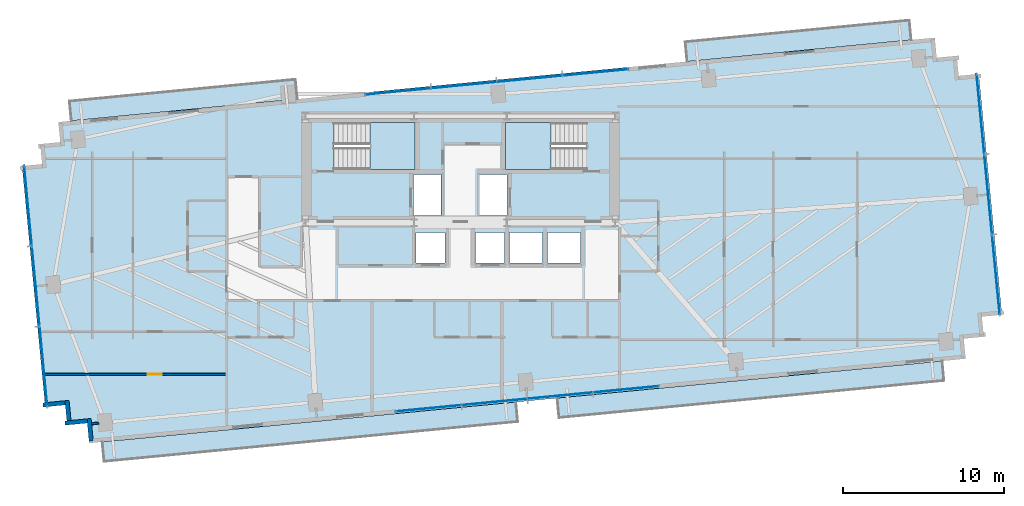
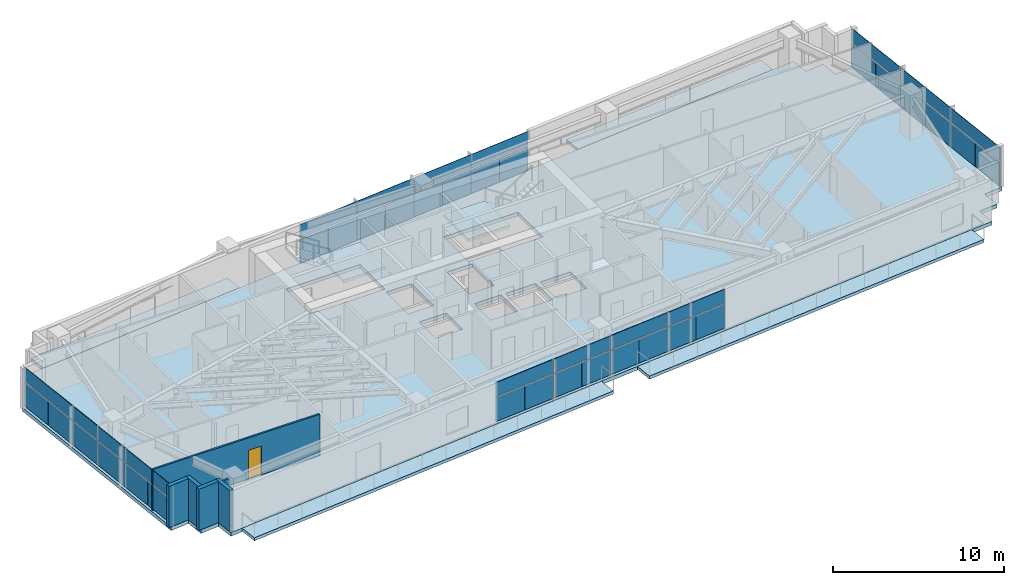
# One storey, part 18 of 25: 42 plates, 7 slabs, 6 walls, 1 door, 1 opening, 6 elements without a shape of their own.
"""IFC4 building model written with IfcOpenShell, lengths in metres."""

from ifc_helpers import new_model, si_unit, direction, frame, frame_2d, origin, origin_2d, place, context, subcontext, project, spatial, polyline, rectangle, outline, extrude, source, transform, mapped, material, layer, layer_set, type_object, type_shapes, element, fill, aggregate, save


model = new_model("IFC4")

# Units and contexts
model_context = context("Model", 3, precision=1e-05, world=origin(), true_north=direction((0.0, 1.0)))
body_context = subcontext(model_context, "Body", "Model", "MODEL_VIEW")
ifc_project = project(units=[si_unit("LENGTHUNIT", "METRE"), si_unit("AREAUNIT", "SQUARE_METRE"), si_unit("VOLUMEUNIT", "CUBIC_METRE"), si_unit("PLANEANGLEUNIT", "RADIAN"), si_unit("MASSUNIT", "GRAM", prefix="KILO")], contexts=[model_context])

# Site, building, storey
site_placement = place(None, origin())
site = spatial("IfcSite", under=ifc_project, at=site_placement, CompositionType="ELEMENT")
building_placement = place(site_placement, origin())
building = spatial("IfcBuilding", under=site, at=building_placement, Name="Astriad Promenade Condominiums", CompositionType="ELEMENT")
storey_placement = place(building_placement, frame((0.0, 0.0, 103.39990234375)))
storey = spatial("IfcBuildingStorey", under=building, at=storey_placement, Name="L29", CompositionType="ELEMENT", Elevation=103.39990234375)

# Slab
ifc_material_1 = material(Name="Concrete C50/60", Category="concrete")
ifc_layer_1 = layer(ifc_material_1, 0.260009765625)
ifc_layer_set_1 = layer_set([ifc_layer_1], Name="Concrete C50/60")
slab_type_1 = type_object("IfcSlabType", Name="CONCRETE TOWER FLOOR SLAB 260", PredefinedType="FLOOR", material=ifc_layer_set_1)
slab_1_placement = place(storey_placement, frame((0.0, 0.0, -0.260009765625)))
element("IfcSlab", 1, at=slab_1_placement, inside=storey, type_object=slab_type_1, Name="Structural Floor Slab (L29)", PredefinedType="FLOOR", context=body_context, shape_type="SweptSolid", body=[
    extrude(outline(polyline([(12.984130859375, 3.7294921875), (67.332763671875, 8.962646484375), (67.212890625, 10.206787109375), (68.457275390625, 10.32666015625), (68.33740234375, 11.57080078125), (69.58154296875, 11.690673828125), (68.14404296875, 26.62158203125), (66.899658203125, 26.501953125), (66.77978515625, 27.74609375), (65.53564453125, 27.626220703125), (65.416015625, 28.87060546875), (11.067138671875, 23.637451171875), (11.18701171875, 22.39306640625), (9.94287109375, 22.273193359375), (10.0625, 21.029052734375), (8.818359375, 20.9091796875), (10.256103515625, 5.978271484375), (11.500244140625, 6.09814453125), (11.6201171875, 4.85400390625), (12.8642578125, 4.9736328125), (12.984130859375, 3.7294921875)]), holes=[polyline([(28.175048828125, 20.699951171875), (33.175048828125, 20.699951171875), (33.175048828125, 23.60009765625), (28.175048828125, 23.60009765625), (28.175048828125, 20.699951171875)]), polyline([(38.824951171875, 20.699951171875), (43.824951171875, 20.699951171875), (43.824951171875, 23.60009765625), (38.824951171875, 23.60009765625), (38.824951171875, 20.699951171875)]), polyline([(33.10009765625, 17.85009765625), (34.800048828125, 17.85009765625), (34.800048828125, 20.39990234375), (33.10009765625, 20.39990234375), (33.10009765625, 17.85009765625)]), polyline([(37.199951171875, 17.85009765625), (38.89990234375, 17.85009765625), (38.89990234375, 20.39990234375), (37.199951171875, 20.39990234375), (37.199951171875, 17.85009765625)]), polyline([(33.25, 14.89990234375), (35.050048828125, 14.89990234375), (35.050048828125, 16.800048828125), (33.25, 16.800048828125), (33.25, 14.89990234375)]), polyline([(36.949951171875, 14.89990234375), (38.75, 14.89990234375), (38.75, 16.800048828125), (36.949951171875, 16.800048828125), (36.949951171875, 14.89990234375)]), polyline([(39.050048828125, 14.89990234375), (41.10009765625, 14.89990234375), (41.10009765625, 16.800048828125), (39.050048828125, 16.800048828125), (39.050048828125, 14.89990234375)]), polyline([(41.39990234375, 14.89990234375), (43.449951171875, 14.89990234375), (43.449951171875, 16.800048828125), (41.39990234375, 16.800048828125), (41.39990234375, 14.89990234375)])]), origin(), (0.0, 0.0, 1.0), 0.260009765625),
])

# Stair, slab
stair_type = type_object("IfcStairType", Name="STR-CORE-1350", PredefinedType="HALF_TURN_STAIR", material=ifc_material_1)
stair_1_placement = place(storey_placement, origin())
stair_1 = element("IfcStair", 2, at=stair_1_placement, inside=storey, type_object=stair_type, Name="L29 Enclosed Core Exit Stair ST-1", PredefinedType="HALF_TURN_STAIR")
ifc_layer_2 = layer(ifc_material_1, 0.219970703125)
ifc_layer_set_2 = layer_set([ifc_layer_2], Name="Concrete C50/60")
slab_type_2 = type_object("IfcSlabType", Name="SLB-LANDING-220", PredefinedType="LANDING", material=ifc_layer_set_2)
slab_2_placement = place(storey_placement, frame((0.0, 0.0, 1.400146484375)))
slab_2 = element("IfcSlab", 3, at=slab_2_placement, type_object=slab_type_2, Name="ST-1 landing 1", PredefinedType="LANDING", context=body_context, shape_type="SweptSolid", body=[
    extrude(outline(polyline([(30.389892578125, 20.699951171875), (33.199951171875, 20.699951171875), (33.199951171875, 23.60009765625), (30.389892578125, 23.60009765625), (30.389892578125, 20.699951171875)])), origin(), (0.0, 0.0, 1.0), 0.199951171875),
])
aggregate(stair_1, [slab_2])

stair_2_placement = place(storey_placement, origin())
stair_2 = element("IfcStair", 4, at=stair_2_placement, inside=storey, type_object=stair_type, Name="L29 Enclosed Core Exit Stair ST-2", PredefinedType="HALF_TURN_STAIR")
slab_3_placement = place(storey_placement, frame((0.0, 0.0, 1.400146484375)))
slab_3 = element("IfcSlab", 5, at=slab_3_placement, type_object=slab_type_2, Name="ST-2 landing 1", PredefinedType="LANDING", context=body_context, shape_type="SweptSolid", body=[
    extrude(outline(polyline([(41.610107421875, 23.60009765625), (38.800048828125, 23.60009765625), (38.800048828125, 20.699951171875), (41.610107421875, 20.699951171875), (41.610107421875, 23.60009765625)])), origin(), (0.0, 0.0, 1.0), 0.199951171875),
])
aggregate(stair_2, [slab_3])

# Slabs
ifc_material_2 = material(Name="Precast concrete C50/60", Category="concrete")
ifc_layer_3 = layer(ifc_material_2, 0.219970703125)
ifc_layer_set_3 = layer_set([ifc_layer_3], Name="Precast concrete C50/60")
slab_type_3 = type_object("IfcSlabType", Name="WHITE PRECAST CONCRETE WAVE BALCONY SLAB 220", PredefinedType="FLOOR", material=ifc_layer_set_3)
slab_4_placement = place(storey_placement, frame((0.0, 0.0, -0.219970703125)))
element("IfcSlab", 6, at=slab_4_placement, inside=storey, type_object=slab_type_3, Name="White Precast Wave Balcony Slab BAL-L29-SW", PredefinedType="FLOOR", context=body_context, shape_type="SweptSolid", body=[
    extrude(outline(polyline([(39.556640625, 5.0625), (13.913330078125, 2.59326171875), (13.796630859375, 3.8056640625), (39.43994140625, 6.27490234375), (39.556640625, 5.0625)])), origin(), (0.0, 0.0, 1.0), 0.219970703125),
])
slab_5_placement = place(storey_placement, frame((0.0, 0.0, -0.219970703125)))
element("IfcSlab", 7, at=slab_5_placement, inside=storey, type_object=slab_type_3, Name="White Precast Wave Balcony Slab BAL-L29-SE", PredefinedType="FLOOR", context=body_context, shape_type="SweptSolid", body=[
    extrude(outline(polyline([(65.992431640625, 7.60791015625), (42.122802734375, 5.3095703125), (42.006103515625, 6.52197265625), (65.875732421875, 8.8203125), (65.992431640625, 7.60791015625)])), origin(), (0.0, 0.0, 1.0), 0.219970703125),
])
slab_6_placement = place(storey_placement, frame((0.0, 0.0, -0.219970703125)))
element("IfcSlab", 8, at=slab_6_placement, inside=storey, type_object=slab_type_3, Name="White Precast Wave Balcony Slab BAL-L29-NW", PredefinedType="FLOOR", context=body_context, shape_type="SweptSolid", body=[
    extrude(outline(polyline([(11.762451171875, 24.929931640625), (25.771728515625, 26.27880859375), (25.888427734375, 25.06640625), (11.87939453125, 23.717529296875), (11.762451171875, 24.929931640625)])), origin(), (0.0, 0.0, 1.0), 0.219970703125),
])
slab_7_placement = place(storey_placement, frame((0.0, 0.0, -0.219970703125)))
element("IfcSlab", 9, at=slab_7_placement, inside=storey, type_object=slab_type_3, Name="White Precast Wave Balcony Slab BAL-L29-NE", PredefinedType="FLOOR", context=body_context, shape_type="SweptSolid", body=[
    extrude(outline(polyline([(49.949951171875, 28.60693359375), (63.841796875, 29.944580078125), (63.95849609375, 28.732421875), (50.066650390625, 27.39453125), (49.949951171875, 28.60693359375)])), origin(), (0.0, 0.0, 1.0), 0.219970703125),
])

# Curtain wall, plates
ifc_material_3 = material(Name="Anodised aluminium Black Dark Glass Unitised", Category="aluminium")
curtain_wall_type = type_object("IfcCurtainWallType", Name="CW-B2-DARK", PredefinedType="USERDEFINED", material=ifc_material_3)
curtain_wall_1_placement = place(storey_placement, origin())
curtain_wall_1 = element("IfcCurtainWall", 10, at=curtain_wall_1_placement, inside=storey, type_object=curtain_wall_type, Name="CW-L29-W", ObjectType="UNITISED_CURTAIN_WALL", PredefinedType="USERDEFINED")
ifc_material_4 = material(Name="Dark Tinted Low-E Laminated Glass", Category="glass")
ifc_layer_4 = layer(ifc_material_4, 0.035888671875)
ifc_layer_set_4 = layer_set([ifc_layer_4], Name="Dark Tinted Low-E Laminated Glass")
plate_type = type_object("IfcPlateType", Name="PNL-DARK-GLASS-36", PredefinedType="CURTAIN_PANEL", material=ifc_layer_set_4)
shared_shape_1 = source(origin(), body_context, "Body", "SweptSolid", [
    extrude(rectangle(XDim=2.488037109375, YDim=0.035888671875, at=origin_2d()), origin(), (0.0, 0.0, 1.0), 1.702880859375),
])
plate_1_placement = place(storey_placement, frame((10.265625, 7.235107421875, 0.080078125), z_axis=(0.0, 0.0, 1.0), x_axis=(-0.09584575252, 0.995396198367, 0.0)))
plate_1 = element("IfcPlate", 11, at=plate_1_placement, type_object=plate_type, Name="CW-L29-W-PNL-00-VL", PredefinedType="CURTAIN_PANEL", context=body_context, shape_type="MappedRepresentation", body=[
    mapped(shared_shape_1, transform((0.0, 0.0, 0.0), scale=1.0)),
])
plate_2_placement = place(storey_placement, frame((10.02587890625, 9.723388671875, 0.080078125), z_axis=(0.0, 0.0, 1.0), x_axis=(-0.09584575252, 0.995396198367, 0.0)))
plate_2 = element("IfcPlate", 12, at=plate_2_placement, type_object=plate_type, Name="CW-L29-W-PNL-00-VR", PredefinedType="CURTAIN_PANEL", context=body_context, shape_type="MappedRepresentation", body=[
    mapped(shared_shape_1, transform((0.0, 0.0, 0.0), scale=1.0)),
])
plate_3_placement = place(storey_placement, frame((9.786376953125, 12.212158203125, 0.080078125), z_axis=(0.0, 0.0, 1.0), x_axis=(-0.09584575252, 0.995396198367, 0.0)))
plate_3 = element("IfcPlate", 13, at=plate_3_placement, type_object=plate_type, Name="CW-L29-W-PNL-01-VL", PredefinedType="CURTAIN_PANEL", context=body_context, shape_type="MappedRepresentation", body=[
    mapped(shared_shape_1, transform((0.0, 0.0, 0.0), scale=1.0)),
])
plate_4_placement = place(storey_placement, frame((9.546875, 14.700439453125, 0.080078125), z_axis=(0.0, 0.0, 1.0), x_axis=(-0.09584575252, 0.995396198367, 0.0)))
plate_4 = element("IfcPlate", 14, at=plate_4_placement, type_object=plate_type, Name="CW-L29-W-PNL-01-VR", PredefinedType="CURTAIN_PANEL", context=body_context, shape_type="MappedRepresentation", body=[
    mapped(shared_shape_1, transform((0.0, 0.0, 0.0), scale=1.0)),
])
plate_5_placement = place(storey_placement, frame((9.30712890625, 17.189208984375, 0.080078125), z_axis=(0.0, 0.0, 1.0), x_axis=(-0.09584575252, 0.995396198367, 0.0)))
plate_5 = element("IfcPlate", 15, at=plate_5_placement, type_object=plate_type, Name="CW-L29-W-PNL-02-VL", PredefinedType="CURTAIN_PANEL", context=body_context, shape_type="MappedRepresentation", body=[
    mapped(shared_shape_1, transform((0.0, 0.0, 0.0), scale=1.0)),
])
plate_6_placement = place(storey_placement, frame((9.067626953125, 19.677490234375, 0.080078125), z_axis=(0.0, 0.0, 1.0), x_axis=(-0.09584575252, 0.995396198367, 0.0)))
plate_6 = element("IfcPlate", 16, at=plate_6_placement, type_object=plate_type, Name="CW-L29-W-PNL-02-VR", PredefinedType="CURTAIN_PANEL", context=body_context, shape_type="MappedRepresentation", body=[
    mapped(shared_shape_1, transform((0.0, 0.0, 0.0), scale=1.0)),
])

curtain_wall_2_placement = place(storey_placement, origin())
curtain_wall_2 = element("IfcCurtainWall", 17, at=curtain_wall_2_placement, inside=storey, type_object=curtain_wall_type, Name="CW-L29-E", ObjectType="UNITISED_CURTAIN_WALL", PredefinedType="USERDEFINED")
plate_7_placement = place(storey_placement, frame((68.134521484375, 25.364990234375, 0.080078125), z_axis=(0.0, 0.0, 1.0), x_axis=(0.09584575252, -0.995396198367, 0.0)))
plate_7 = element("IfcPlate", 18, at=plate_7_placement, type_object=plate_type, Name="CW-L29-E-PNL-00-VL", PredefinedType="CURTAIN_PANEL", context=body_context, shape_type="MappedRepresentation", body=[
    mapped(shared_shape_1, transform((0.0, 0.0, 0.0), scale=1.0)),
])
plate_8_placement = place(storey_placement, frame((68.3740234375, 22.87646484375, 0.080078125), z_axis=(0.0, 0.0, 1.0), x_axis=(0.09584575252, -0.995396198367, 0.0)))
plate_8 = element("IfcPlate", 19, at=plate_8_placement, type_object=plate_type, Name="CW-L29-E-PNL-00-VR", PredefinedType="CURTAIN_PANEL", context=body_context, shape_type="MappedRepresentation", body=[
    mapped(shared_shape_1, transform((0.0, 0.0, 0.0), scale=1.0)),
])
plate_9_placement = place(storey_placement, frame((68.613525390625, 20.387939453125, 0.080078125), z_axis=(0.0, 0.0, 1.0), x_axis=(0.09584575252, -0.995396198367, 0.0)))
plate_9 = element("IfcPlate", 20, at=plate_9_placement, type_object=plate_type, Name="CW-L29-E-PNL-01-VL", PredefinedType="CURTAIN_PANEL", context=body_context, shape_type="MappedRepresentation", body=[
    mapped(shared_shape_1, transform((0.0, 0.0, 0.0), scale=1.0)),
])
plate_10_placement = place(storey_placement, frame((68.853271484375, 17.8994140625, 0.080078125), z_axis=(0.0, 0.0, 1.0), x_axis=(0.09584575252, -0.995396198367, 0.0)))
plate_10 = element("IfcPlate", 21, at=plate_10_placement, type_object=plate_type, Name="CW-L29-E-PNL-01-VR", PredefinedType="CURTAIN_PANEL", context=body_context, shape_type="MappedRepresentation", body=[
    mapped(shared_shape_1, transform((0.0, 0.0, 0.0), scale=1.0)),
])
plate_11_placement = place(storey_placement, frame((69.0927734375, 15.410888671875, 0.080078125), z_axis=(0.0, 0.0, 1.0), x_axis=(0.09584575252, -0.995396198367, 0.0)))
plate_11 = element("IfcPlate", 22, at=plate_11_placement, type_object=plate_type, Name="CW-L29-E-PNL-02-VL", PredefinedType="CURTAIN_PANEL", context=body_context, shape_type="MappedRepresentation", body=[
    mapped(shared_shape_1, transform((0.0, 0.0, 0.0), scale=1.0)),
])
plate_12_placement = place(storey_placement, frame((69.33251953125, 12.922607421875, 0.080078125), z_axis=(0.0, 0.0, 1.0), x_axis=(0.09584575252, -0.995396198367, 0.0)))
plate_12 = element("IfcPlate", 23, at=plate_12_placement, type_object=plate_type, Name="CW-L29-E-PNL-02-VR", PredefinedType="CURTAIN_PANEL", context=body_context, shape_type="MappedRepresentation", body=[
    mapped(shared_shape_1, transform((0.0, 0.0, 0.0), scale=1.0)),
])

# Plate
shared_shape_2 = source(origin(), body_context, "Body", "SweptSolid", [
    extrude(rectangle(XDim=4.988037109375, YDim=0.035888671875, at=origin_2d()), origin(), (0.0, 0.0, 1.0), 0.997314453125),
])
plate_13_placement = place(storey_placement, frame((10.145751953125, 8.479248046875, 1.86279296875), z_axis=(0.0, 0.0, 1.0), x_axis=(-0.09584575252, 0.995396198367, 0.0)))
plate_13 = element("IfcPlate", 24, at=plate_13_placement, type_object=plate_type, Name="CW-L29-W-PNL-00-S", PredefinedType="CURTAIN_PANEL", context=body_context, shape_type="MappedRepresentation", body=[
    mapped(shared_shape_2, transform((0.0, 0.0, 0.0), scale=1.0)),
])

plate_14_placement = place(storey_placement, frame((9.66650390625, 13.456298828125, 1.86279296875), z_axis=(0.0, 0.0, 1.0), x_axis=(-0.09584575252, 0.995396198367, 0.0)))
plate_14 = element("IfcPlate", 25, at=plate_14_placement, type_object=plate_type, Name="CW-L29-W-PNL-01-S", PredefinedType="CURTAIN_PANEL", context=body_context, shape_type="MappedRepresentation", body=[
    mapped(shared_shape_2, transform((0.0, 0.0, 0.0), scale=1.0)),
])

plate_15_placement = place(storey_placement, frame((9.1875, 18.433349609375, 1.86279296875), z_axis=(0.0, 0.0, 1.0), x_axis=(-0.09584575252, 0.995396198367, 0.0)))
plate_15 = element("IfcPlate", 26, at=plate_15_placement, type_object=plate_type, Name="CW-L29-W-PNL-02-S", PredefinedType="CURTAIN_PANEL", context=body_context, shape_type="MappedRepresentation", body=[
    mapped(shared_shape_2, transform((0.0, 0.0, 0.0), scale=1.0)),
])

aggregate(curtain_wall_1, [plate_1, plate_2, plate_13, plate_3, plate_4, plate_14, plate_5, plate_6, plate_15])

plate_16_placement = place(storey_placement, frame((68.254150390625, 24.12060546875, 1.86279296875), z_axis=(0.0, 0.0, 1.0), x_axis=(0.09584575252, -0.995396198367, 0.0)))
plate_16 = element("IfcPlate", 27, at=plate_16_placement, type_object=plate_type, Name="CW-L29-E-PNL-00-S", PredefinedType="CURTAIN_PANEL", context=body_context, shape_type="MappedRepresentation", body=[
    mapped(shared_shape_2, transform((0.0, 0.0, 0.0), scale=1.0)),
])

plate_17_placement = place(storey_placement, frame((68.7333984375, 19.143798828125, 1.86279296875), z_axis=(0.0, 0.0, 1.0), x_axis=(0.09584575252, -0.995396198367, 0.0)))
plate_17 = element("IfcPlate", 28, at=plate_17_placement, type_object=plate_type, Name="CW-L29-E-PNL-01-S", PredefinedType="CURTAIN_PANEL", context=body_context, shape_type="MappedRepresentation", body=[
    mapped(shared_shape_2, transform((0.0, 0.0, 0.0), scale=1.0)),
])

plate_18_placement = place(storey_placement, frame((69.212646484375, 14.166748046875, 1.86279296875), z_axis=(0.0, 0.0, 1.0), x_axis=(0.09584575252, -0.995396198367, 0.0)))
plate_18 = element("IfcPlate", 29, at=plate_18_placement, type_object=plate_type, Name="CW-L29-E-PNL-02-S", PredefinedType="CURTAIN_PANEL", context=body_context, shape_type="MappedRepresentation", body=[
    mapped(shared_shape_2, transform((0.0, 0.0, 0.0), scale=1.0)),
])

aggregate(curtain_wall_2, [plate_7, plate_8, plate_16, plate_9, plate_10, plate_17, plate_11, plate_12, plate_18])

# Curtain wall, plates
curtain_wall_3_placement = place(storey_placement, origin())
curtain_wall_3 = element("IfcCurtainWall", 30, at=curtain_wall_3_placement, inside=storey, type_object=curtain_wall_type, Name="CW-L29-N", ObjectType="UNITISED_CURTAIN_WALL", PredefinedType="USERDEFINED")
shared_shape_3 = source(origin(), body_context, "Body", "SweptSolid", [
    extrude(rectangle(XDim=2.035400390625, YDim=0.035888671875, at=origin_2d()), origin(), (0.0, 0.0, 1.0), 1.702880859375),
])
plate_19_placement = place(storey_placement, frame((31.12060546875, 25.437744140625, 0.080078125), z_axis=(0.0, 0.0, 1.0), x_axis=(0.995396198367, 0.09584575252, 0.0)))
plate_19 = element("IfcPlate", 31, at=plate_19_placement, type_object=plate_type, Name="CW-L29-N-PNL-00-VL", PredefinedType="CURTAIN_PANEL", context=body_context, shape_type="MappedRepresentation", body=[
    mapped(shared_shape_3, transform((0.0, 0.0, 0.0), scale=1.0)),
])
plate_20_placement = place(storey_placement, frame((33.15869140625, 25.634033203125, 0.080078125), z_axis=(0.0, 0.0, 1.0), x_axis=(0.995396198367, 0.09584575252, 0.0)))
plate_20 = element("IfcPlate", 32, at=plate_20_placement, type_object=plate_type, Name="CW-L29-N-PNL-00-VR", PredefinedType="CURTAIN_PANEL", context=body_context, shape_type="MappedRepresentation", body=[
    mapped(shared_shape_3, transform((0.0, 0.0, 0.0), scale=1.0)),
])
plate_21_placement = place(storey_placement, frame((35.19677734375, 25.830078125, 0.080078125), z_axis=(0.0, 0.0, 1.0), x_axis=(0.995396198367, 0.09584575252, 0.0)))
plate_21 = element("IfcPlate", 33, at=plate_21_placement, type_object=plate_type, Name="CW-L29-N-PNL-01-VL", PredefinedType="CURTAIN_PANEL", context=body_context, shape_type="MappedRepresentation", body=[
    mapped(shared_shape_3, transform((0.0, 0.0, 0.0), scale=1.0)),
])
plate_22_placement = place(storey_placement, frame((37.23486328125, 26.026611328125, 0.080078125), z_axis=(0.0, 0.0, 1.0), x_axis=(0.995396198367, 0.09584575252, 0.0)))
plate_22 = element("IfcPlate", 34, at=plate_22_placement, type_object=plate_type, Name="CW-L29-N-PNL-01-VR", PredefinedType="CURTAIN_PANEL", context=body_context, shape_type="MappedRepresentation", body=[
    mapped(shared_shape_3, transform((0.0, 0.0, 0.0), scale=1.0)),
])
plate_23_placement = place(storey_placement, frame((39.27294921875, 26.22265625, 0.080078125), z_axis=(0.0, 0.0, 1.0), x_axis=(0.995396198367, 0.09584575252, 0.0)))
plate_23 = element("IfcPlate", 35, at=plate_23_placement, type_object=plate_type, Name="CW-L29-N-PNL-02-VL", PredefinedType="CURTAIN_PANEL", context=body_context, shape_type="MappedRepresentation", body=[
    mapped(shared_shape_3, transform((0.0, 0.0, 0.0), scale=1.0)),
])
plate_24_placement = place(storey_placement, frame((41.31103515625, 26.4189453125, 0.080078125), z_axis=(0.0, 0.0, 1.0), x_axis=(0.995396198367, 0.09584575252, 0.0)))
plate_24 = element("IfcPlate", 36, at=plate_24_placement, type_object=plate_type, Name="CW-L29-N-PNL-02-VR", PredefinedType="CURTAIN_PANEL", context=body_context, shape_type="MappedRepresentation", body=[
    mapped(shared_shape_3, transform((0.0, 0.0, 0.0), scale=1.0)),
])
plate_25_placement = place(storey_placement, frame((43.34912109375, 26.615234375, 0.080078125), z_axis=(0.0, 0.0, 1.0), x_axis=(0.995396198367, 0.09584575252, 0.0)))
plate_25 = element("IfcPlate", 37, at=plate_25_placement, type_object=plate_type, Name="CW-L29-N-PNL-03-VL", PredefinedType="CURTAIN_PANEL", context=body_context, shape_type="MappedRepresentation", body=[
    mapped(shared_shape_3, transform((0.0, 0.0, 0.0), scale=1.0)),
])
plate_26_placement = place(storey_placement, frame((45.38720703125, 26.8115234375, 0.080078125), z_axis=(0.0, 0.0, 1.0), x_axis=(0.995396198367, 0.09584575252, 0.0)))
plate_26 = element("IfcPlate", 38, at=plate_26_placement, type_object=plate_type, Name="CW-L29-N-PNL-03-VR", PredefinedType="CURTAIN_PANEL", context=body_context, shape_type="MappedRepresentation", body=[
    mapped(shared_shape_3, transform((0.0, 0.0, 0.0), scale=1.0)),
])

curtain_wall_4_placement = place(storey_placement, origin())
curtain_wall_4 = element("IfcCurtainWall", 39, at=curtain_wall_4_placement, inside=storey, type_object=curtain_wall_type, Name="CW-L29-S", ObjectType="UNITISED_CURTAIN_WALL", PredefinedType="USERDEFINED")
plate_27_placement = place(storey_placement, frame((47.279296875, 7.162353515625, 0.080078125), z_axis=(0.0, 0.0, 1.0), x_axis=(-0.995396198367, -0.09584575252, 0.0)))
plate_27 = element("IfcPlate", 40, at=plate_27_placement, type_object=plate_type, Name="CW-L29-S-PNL-00-VL", PredefinedType="CURTAIN_PANEL", context=body_context, shape_type="MappedRepresentation", body=[
    mapped(shared_shape_3, transform((0.0, 0.0, 0.0), scale=1.0)),
])
plate_28_placement = place(storey_placement, frame((45.2412109375, 6.966064453125, 0.080078125), z_axis=(0.0, 0.0, 1.0), x_axis=(-0.995396198367, -0.09584575252, 0.0)))
plate_28 = element("IfcPlate", 41, at=plate_28_placement, type_object=plate_type, Name="CW-L29-S-PNL-00-VR", PredefinedType="CURTAIN_PANEL", context=body_context, shape_type="MappedRepresentation", body=[
    mapped(shared_shape_3, transform((0.0, 0.0, 0.0), scale=1.0)),
])
plate_29_placement = place(storey_placement, frame((43.203125, 6.769775390625, 0.080078125), z_axis=(0.0, 0.0, 1.0), x_axis=(-0.995396198367, -0.09584575252, 0.0)))
plate_29 = element("IfcPlate", 42, at=plate_29_placement, type_object=plate_type, Name="CW-L29-S-PNL-01-VL", PredefinedType="CURTAIN_PANEL", context=body_context, shape_type="MappedRepresentation", body=[
    mapped(shared_shape_3, transform((0.0, 0.0, 0.0), scale=1.0)),
])
plate_30_placement = place(storey_placement, frame((41.1650390625, 6.573486328125, 0.080078125), z_axis=(0.0, 0.0, 1.0), x_axis=(-0.995396198367, -0.09584575252, 0.0)))
plate_30 = element("IfcPlate", 43, at=plate_30_placement, type_object=plate_type, Name="CW-L29-S-PNL-01-VR", PredefinedType="CURTAIN_PANEL", context=body_context, shape_type="MappedRepresentation", body=[
    mapped(shared_shape_3, transform((0.0, 0.0, 0.0), scale=1.0)),
])
plate_31_placement = place(storey_placement, frame((39.126953125, 6.377197265625, 0.080078125), z_axis=(0.0, 0.0, 1.0), x_axis=(-0.995396198367, -0.09584575252, 0.0)))
plate_31 = element("IfcPlate", 44, at=plate_31_placement, type_object=plate_type, Name="CW-L29-S-PNL-02-VL", PredefinedType="CURTAIN_PANEL", context=body_context, shape_type="MappedRepresentation", body=[
    mapped(shared_shape_3, transform((0.0, 0.0, 0.0), scale=1.0)),
])
plate_32_placement = place(storey_placement, frame((37.0888671875, 6.180908203125, 0.080078125), z_axis=(0.0, 0.0, 1.0), x_axis=(-0.995396198367, -0.09584575252, 0.0)))
plate_32 = element("IfcPlate", 45, at=plate_32_placement, type_object=plate_type, Name="CW-L29-S-PNL-02-VR", PredefinedType="CURTAIN_PANEL", context=body_context, shape_type="MappedRepresentation", body=[
    mapped(shared_shape_3, transform((0.0, 0.0, 0.0), scale=1.0)),
])
plate_33_placement = place(storey_placement, frame((35.05078125, 5.98486328125, 0.080078125), z_axis=(0.0, 0.0, 1.0), x_axis=(-0.995396198367, -0.09584575252, 0.0)))
plate_33 = element("IfcPlate", 46, at=plate_33_placement, type_object=plate_type, Name="CW-L29-S-PNL-03-VL", PredefinedType="CURTAIN_PANEL", context=body_context, shape_type="MappedRepresentation", body=[
    mapped(shared_shape_3, transform((0.0, 0.0, 0.0), scale=1.0)),
])
plate_34_placement = place(storey_placement, frame((33.0126953125, 5.78857421875, 0.080078125), z_axis=(0.0, 0.0, 1.0), x_axis=(-0.995396198367, -0.09584575252, 0.0)))
plate_34 = element("IfcPlate", 47, at=plate_34_placement, type_object=plate_type, Name="CW-L29-S-PNL-03-VR", PredefinedType="CURTAIN_PANEL", context=body_context, shape_type="MappedRepresentation", body=[
    mapped(shared_shape_3, transform((0.0, 0.0, 0.0), scale=1.0)),
])

# Plate
shared_shape_4 = source(origin(), body_context, "Body", "SweptSolid", [
    extrude(rectangle(XDim=4.0830078125, YDim=0.035888671875, at=origin_2d()), origin(), (0.0, 0.0, 1.0), 0.997314453125),
])
type_shapes(plate_type, [shared_shape_1, shared_shape_2, shared_shape_3, shared_shape_4])
plate_35_placement = place(storey_placement, frame((32.1396484375, 25.535888671875, 1.86279296875), z_axis=(0.0, 0.0, 1.0), x_axis=(0.995396198367, 0.09584575252, 0.0)))
plate_35 = element("IfcPlate", 48, at=plate_35_placement, type_object=plate_type, Name="CW-L29-N-PNL-00-S", PredefinedType="CURTAIN_PANEL", context=body_context, shape_type="MappedRepresentation", body=[
    mapped(shared_shape_4, transform((0.0, 0.0, 0.0), scale=1.0)),
])

plate_36_placement = place(storey_placement, frame((36.2158203125, 25.928466796875, 1.86279296875), z_axis=(0.0, 0.0, 1.0), x_axis=(0.995396198367, 0.09584575252, 0.0)))
plate_36 = element("IfcPlate", 49, at=plate_36_placement, type_object=plate_type, Name="CW-L29-N-PNL-01-S", PredefinedType="CURTAIN_PANEL", context=body_context, shape_type="MappedRepresentation", body=[
    mapped(shared_shape_4, transform((0.0, 0.0, 0.0), scale=1.0)),
])

plate_37_placement = place(storey_placement, frame((40.2919921875, 26.32080078125, 1.86279296875), z_axis=(0.0, 0.0, 1.0), x_axis=(0.995396198367, 0.09584575252, 0.0)))
plate_37 = element("IfcPlate", 50, at=plate_37_placement, type_object=plate_type, Name="CW-L29-N-PNL-02-S", PredefinedType="CURTAIN_PANEL", context=body_context, shape_type="MappedRepresentation", body=[
    mapped(shared_shape_4, transform((0.0, 0.0, 0.0), scale=1.0)),
])

plate_38_placement = place(storey_placement, frame((44.368408203125, 26.71337890625, 1.86279296875), z_axis=(0.0, 0.0, 1.0), x_axis=(0.995396198367, 0.09584575252, 0.0)))
plate_38 = element("IfcPlate", 51, at=plate_38_placement, type_object=plate_type, Name="CW-L29-N-PNL-03-S", PredefinedType="CURTAIN_PANEL", context=body_context, shape_type="MappedRepresentation", body=[
    mapped(shared_shape_4, transform((0.0, 0.0, 0.0), scale=1.0)),
])

aggregate(curtain_wall_3, [plate_19, plate_20, plate_35, plate_21, plate_22, plate_36, plate_23, plate_24, plate_37, plate_25, plate_26, plate_38])

plate_39_placement = place(storey_placement, frame((46.26025390625, 7.064208984375, 1.86279296875), z_axis=(0.0, 0.0, 1.0), x_axis=(-0.995396198367, -0.09584575252, 0.0)))
plate_39 = element("IfcPlate", 52, at=plate_39_placement, type_object=plate_type, Name="CW-L29-S-PNL-00-S", PredefinedType="CURTAIN_PANEL", context=body_context, shape_type="MappedRepresentation", body=[
    mapped(shared_shape_4, transform((0.0, 0.0, 0.0), scale=1.0)),
])

plate_40_placement = place(storey_placement, frame((42.18408203125, 6.671630859375, 1.86279296875), z_axis=(0.0, 0.0, 1.0), x_axis=(-0.995396198367, -0.09584575252, 0.0)))
plate_40 = element("IfcPlate", 53, at=plate_40_placement, type_object=plate_type, Name="CW-L29-S-PNL-01-S", PredefinedType="CURTAIN_PANEL", context=body_context, shape_type="MappedRepresentation", body=[
    mapped(shared_shape_4, transform((0.0, 0.0, 0.0), scale=1.0)),
])

plate_41_placement = place(storey_placement, frame((38.10791015625, 6.279052734375, 1.86279296875), z_axis=(0.0, 0.0, 1.0), x_axis=(-0.995396198367, -0.09584575252, 0.0)))
plate_41 = element("IfcPlate", 54, at=plate_41_placement, type_object=plate_type, Name="CW-L29-S-PNL-02-S", PredefinedType="CURTAIN_PANEL", context=body_context, shape_type="MappedRepresentation", body=[
    mapped(shared_shape_4, transform((0.0, 0.0, 0.0), scale=1.0)),
])

plate_42_placement = place(storey_placement, frame((34.03173828125, 5.88671875, 1.86279296875), z_axis=(0.0, 0.0, 1.0), x_axis=(-0.995396198367, -0.09584575252, 0.0)))
plate_42 = element("IfcPlate", 55, at=plate_42_placement, type_object=plate_type, Name="CW-L29-S-PNL-03-S", PredefinedType="CURTAIN_PANEL", context=body_context, shape_type="MappedRepresentation", body=[
    mapped(shared_shape_4, transform((0.0, 0.0, 0.0), scale=1.0)),
])

aggregate(curtain_wall_4, [plate_27, plate_28, plate_39, plate_29, plate_30, plate_40, plate_31, plate_32, plate_41, plate_33, plate_34, plate_42])

# Walls
ifc_layer_5 = layer(ifc_material_2, 0.260009765625)
ifc_layer_set_5 = layer_set([ifc_layer_5], Name="Precast concrete C50/60")
wall_type_1 = type_object("IfcWallType", Name="WALL-EXT-TWR-260", PredefinedType="STANDARD", material=ifc_layer_set_5)
for number, where, z_axis, x_axis, name in (
    (56, (12.86669921875, 5.1044921875, 0.0), (0.0, 0.0, 1.0), (-0.995389446633, -0.095915846097, 0.0), "W-SER-L29-00"),
    (57, (11.738525390625, 4.98095703125, 0.0), (0.0, 0.0, 1.0), (-0.095915846097, 0.995389446633, 0.0), "W-SER-L29-01"),
):
    element("IfcWall", number, at=place(storey_placement, frame(where, z_axis=z_axis, x_axis=x_axis)), inside=storey, type_object=wall_type_1, Name=name, PredefinedType="STANDARD", context=body_context, shape_type="SweptSolid", body=[
        extrude(rectangle(XDim=1.394775390625, YDim=0.260009765625, at=frame_2d((0.697265625, 0.0))), origin(), (0.0, 0.0, 1.0), 2.940185546875),
    ])
for number, where, z_axis, x_axis, name in (
    (58, (11.502685546875, 6.22900390625, 0.0), (0.0, 0.0, 1.0), (-0.995391056452, -0.09589913835, 0.0), "W-SER-L29-02"),
    (59, (13.1025390625, 3.8564453125, 0.0), (0.0, 0.0, 1.0), (-0.09589913835, 0.995391056452, 0.0), "W-SER-L29-19"),
):
    element("IfcWall", number, at=place(storey_placement, frame(where, z_axis=z_axis, x_axis=x_axis)), inside=storey, type_object=wall_type_1, Name=name, PredefinedType="STANDARD", context=body_context, shape_type="SweptSolid", body=[
        extrude(rectangle(XDim=1.39501953125, YDim=0.260009765625, at=frame_2d((0.697509765625, 0.0))), origin(), (0.0, 0.0, 1.0), 2.940185546875),
    ])

# Wall, opening, door
ifc_material_5 = material(Name="Acoustic Metal-Stud Gypsum Partition")
ifc_layer_6 = layer(ifc_material_5, 0.1201171875)
ifc_layer_set_6 = layer_set([ifc_layer_6], Name="Acoustic Metal-Stud Gypsum Partition")
wall_type_2 = type_object("IfcWallType", Name="WALL-PART-120", PredefinedType="PARTITIONING", material=ifc_layer_set_6)
wall_1_placement = place(storey_placement, frame((10.14208984375, 7.9951171875, 0.0), z_axis=(0.0, 0.0, 1.0), x_axis=(1.0, 0.0, 0.0)))
wall_1 = element("IfcWall", 60, at=wall_1_placement, inside=storey, type_object=wall_type_2, Name="PT-L29-W1-WDS1", PredefinedType="PARTITIONING", context=body_context, shape_type="SweptSolid", body=[
    extrude(rectangle(XDim=11.27587890625, YDim=0.1201171875, at=frame_2d((5.637939453125, 0.0))), origin(), (0.0, 0.0, 1.0), 2.940185546875),
])
opening_placement = place(wall_1_placement, frame((6.480712890625, 0.0, 0.0)))
opening = element("IfcOpeningElement", 61, at=opening_placement, cuts=wall_1, Name="Opening D-INT-085", PredefinedType="OPENING", context=body_context, shape_type="SweptSolid", body=[
    extrude(rectangle(XDim=0.85009765625, YDim=2.050048828125, at=frame_2d((0.425048828125, 1.02490234375))), frame((0.0, 0.070068359375, 0.0), z_axis=(0.0, -1.0, 0.0), x_axis=(1.0, 0.0, 0.0)), (0.0, 0.0, 1.0), 0.14013671875),
])
ifc_material_6 = material(Name="Painted Solid-Core Timber Room Door", Category="wood")
door_type = type_object("IfcDoorType", Name="D-INT-085", OperationType="NOTDEFINED", PredefinedType="DOOR", material=ifc_material_6)
shared_shape_5 = source(origin(), body_context, "Body", "SweptSolid", [
    extrude(rectangle(XDim=0.85009765625, YDim=2.050048828125, at=frame_2d((0.425048828125, 1.02490234375))), frame((0.0, 0.02490234375, 0.0), z_axis=(0.0, -1.0, 0.0), x_axis=(1.0, 0.0, 0.0)), (0.0, 0.0, 1.0), 0.050048828125),
])
type_shapes(door_type, [shared_shape_5])
door_placement = place(opening_placement, origin())
door = element("IfcDoor", 62, at=door_placement, inside=storey, type_object=door_type, Name="D-WDS1-L29-W1", OperationType="SINGLE_SWING_RIGHT", OverallHeight=2.050048828125, OverallWidth=0.85009765625, PredefinedType="DOOR", context=body_context, shape_type="MappedRepresentation", body=[
    mapped(shared_shape_5, transform((0.0, 0.0, 0.0), scale=1.0)),
])
fill(opening, door)

# Wall
wall_2_placement = place(storey_placement, frame((13.587646484375, 4.972900390625, 0.0), z_axis=(0.0, 0.0, 1.0), x_axis=(-0.995435366701, -0.095438098896, 0.0)))
element("IfcWall", 63, at=wall_2_placement, inside=storey, type_object=wall_type_2, Name="PT-PIL-L29-PC01-8", PredefinedType="PARTITIONING", context=body_context, shape_type="SweptSolid", body=[
    extrude(rectangle(XDim=0.4580078125, YDim=0.1201171875, at=frame_2d((0.22900390625, 0.0))), origin(), (0.0, 0.0, 1.0), 2.940185546875),
])

save(model, "model.ifc")
